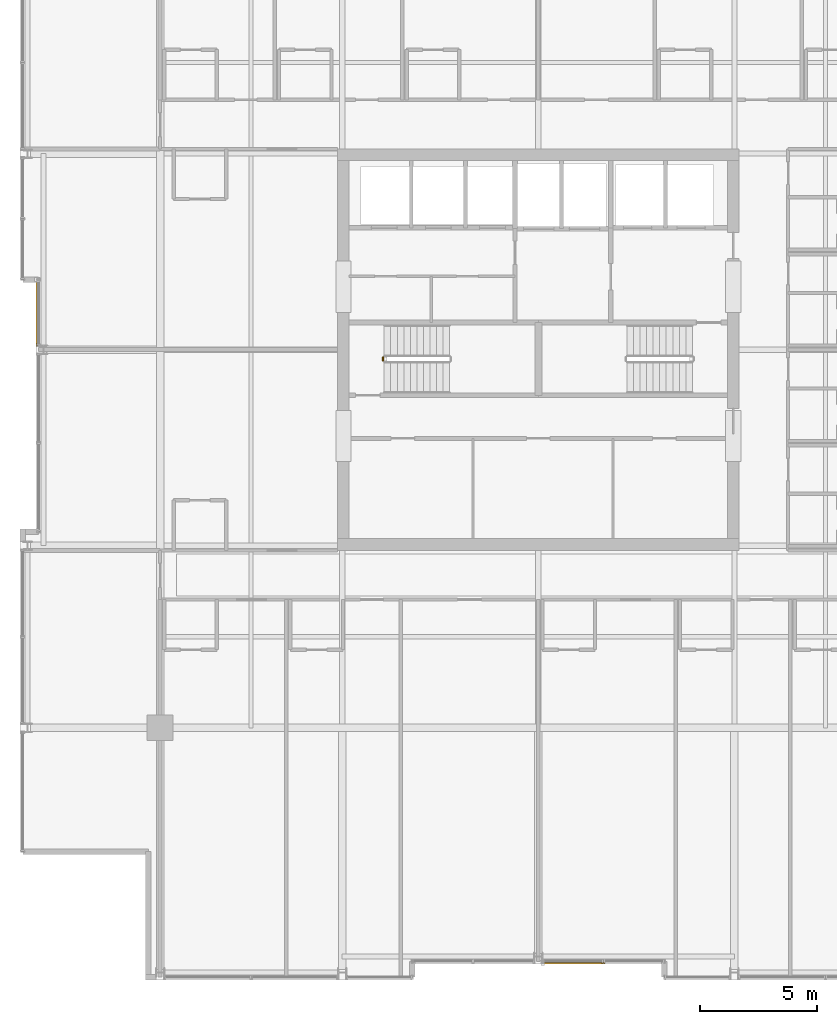
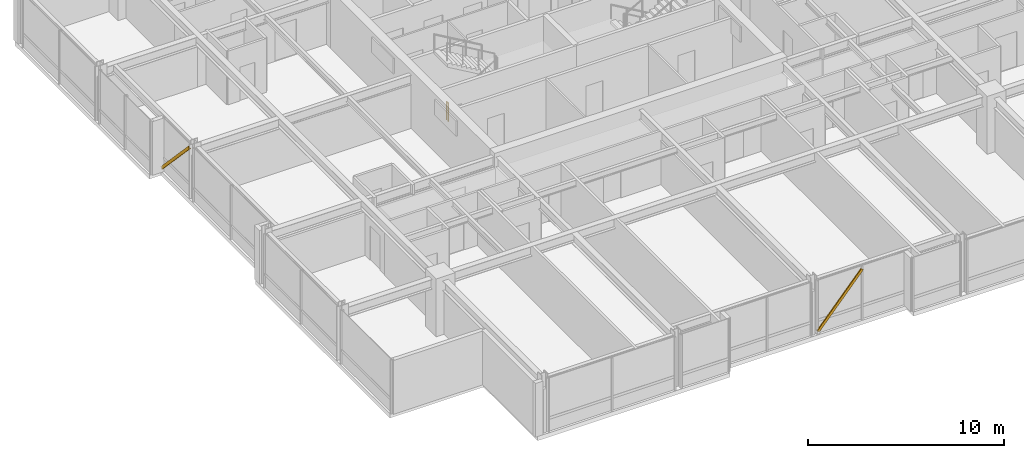
# One storey, part 31 of 33: 2 shading devices, 1 railing.
"""IFC4 building model written with IfcOpenShell, lengths in metres."""

import ifcopenshell
import ifcopenshell.guid

model = None  # the IFC model being written
_history = None  # IfcOwnerHistory: only IFC2X3 demands one
_inside = {}  # id of a spatial element -> (the spatial element, [elements in it])
_under = {}  # id of a project, library or spatial element -> (it, [spatial elements below it])
_declared = {}  # id of a project -> (the project, [libraries it declares])
_typed = {}  # id of a type object -> (the type object, [elements of that type])
_made_of = {}  # id of a material, layer set ... -> (it, [elements and type objects made of it])


def new_model(schema):
    """Start an empty IFC model of exactly this schema.

    Asked for "IFC4X3", IfcOpenShell would pick the latest addendum, in which some entities
    have other attributes; the version numbers below select the first issue.
    IFC2X3 requires an IfcOwnerHistory on every rooted entity: one is made here for all.
    """
    global model, _history
    if schema == "IFC4X3":
        model = ifcopenshell.file(schema_version=(4, 3, 0, 0))
    else:
        model = ifcopenshell.file(schema=schema)
    _inside.clear()
    _under.clear()
    _declared.clear()
    _typed.clear()
    _made_of.clear()
    _history = None
    if model.schema == "IFC2X3":
        org = make("IfcOrganization", Name="unknown")
        user = make(
            "IfcPersonAndOrganization",
            ThePerson=make("IfcPerson", FamilyName="unknown"),
            TheOrganization=org,
        )
        app = make(
            "IfcApplication",
            ApplicationDeveloper=org,
            Version="unknown",
            ApplicationFullName="unknown",
            ApplicationIdentifier="unknown",
        )
        _history = make(
            "IfcOwnerHistory",
            OwningUser=user,
            OwningApplication=app,
            ChangeAction="ADDED",
            CreationDate=0,
        )
    return model


def make(cls, **values):
    """One entity of the class cls with the attributes given. An attribute that is None is left unset."""
    return model.create_entity(
        cls, **{name: value for name, value in values.items() if value is not None}
    )


def rooted(cls, **values):
    """An entity with a GlobalId (a new one), such as an element, a storey or a relation."""
    return make(cls, GlobalId=ifcopenshell.guid.new(), OwnerHistory=_history, **values)


def si_unit(unit_type, name, prefix=None):
    """IfcSIUnit, for example si_unit("LENGTHUNIT", "METRE", prefix="MILLI")."""
    return make("IfcSIUnit", UnitType=unit_type, Prefix=prefix, Name=name)


def assignment(units):
    """IfcUnitAssignment: the units of a project."""
    return None if units is None else make("IfcUnitAssignment", Units=units)


def point(xyz):
    """IfcCartesianPoint."""
    return None if xyz is None else make("IfcCartesianPoint", Coordinates=xyz)


def direction(xyz):
    """IfcDirection."""
    return None if xyz is None else make("IfcDirection", DirectionRatios=xyz)


def frame(location, z_axis=None, x_axis=None):
    """IfcAxis2Placement3D, a coordinate frame: its origin and axes. An axis left out is left unset."""
    return make(
        "IfcAxis2Placement3D",
        Location=point(location),
        Axis=direction(z_axis),
        RefDirection=direction(x_axis),
    )


def frame_2d(location, x_axis=None):
    """IfcAxis2Placement2D, a coordinate frame in the plane: its origin and x axis."""
    return make(
        "IfcAxis2Placement2D", Location=point(location), RefDirection=direction(x_axis)
    )


def origin():
    """The frame at (0, 0, 0) with its axes left unset."""
    return frame((0.0, 0.0, 0.0))


def origin_2d():
    """The frame at (0, 0) in the plane with its x axis left unset."""
    return frame_2d((0.0, 0.0))


def place(relative_to, where):
    """IfcLocalPlacement: puts the frame where relative to a parent placement (None: the world)."""
    return make(
        "IfcLocalPlacement", PlacementRelTo=relative_to, RelativePlacement=where
    )


def context(
    kind, dimensions, precision=None, world=None, true_north=None, identifier=None
):
    """IfcGeometricRepresentationContext, for example the 3D "Model" context."""
    return make(
        "IfcGeometricRepresentationContext",
        ContextIdentifier=identifier,
        ContextType=kind,
        CoordinateSpaceDimension=dimensions,
        Precision=precision,
        WorldCoordinateSystem=world,
        TrueNorth=true_north,
    )


def subcontext(parent, identifier, kind, view, scale=None):
    """IfcGeometricRepresentationSubContext, for example "Body" below "Model"."""
    return make(
        "IfcGeometricRepresentationSubContext",
        ContextIdentifier=identifier,
        ContextType=kind,
        ParentContext=parent,
        TargetScale=scale,
        TargetView=view,
    )


def project(units=None, contexts=None):
    """IfcProject with its units and contexts."""
    return rooted(
        "IfcProject",
        Name="project",
        RepresentationContexts=contexts,
        UnitsInContext=assignment(units),
    )


def spatial(cls, under=None, at=None, **own):
    """A site, building, storey or space (cls), placed at a placement, below another one or the project."""
    s = rooted(cls, ObjectPlacement=at, **own)
    if under is not None:
        _under.setdefault(under.id(), (under, []))[1].append(s)
    return s


def profile(cls, at=None, kind="AREA", **sizes):
    """A parametric profile (cls). Its sizes go by their IFC names, for example OverallWidth=200.0."""
    return make(cls, ProfileType=kind, Position=at, **sizes)


def hollow_rectangle(**sizes):
    """IfcRectangleHollowProfileDef."""
    return profile("IfcRectangleHollowProfileDef", **sizes)


def circle(**sizes):
    """IfcCircleProfileDef."""
    return profile("IfcCircleProfileDef", **sizes)


def extrude(swept, where, along, depth):
    """IfcExtrudedAreaSolid: the profile swept, set in the frame where, extruded along a direction by depth."""
    return make(
        "IfcExtrudedAreaSolid",
        SweptArea=swept,
        Position=where,
        ExtrudedDirection=direction(along),
        Depth=depth,
    )


def shape(context_of_items, identifier, shape_type, items):
    """IfcShapeRepresentation: the items that make up one representation, for example the "Body"."""
    return make(
        "IfcShapeRepresentation",
        ContextOfItems=context_of_items,
        RepresentationIdentifier=identifier,
        RepresentationType=shape_type,
        Items=items,
    )


def material(Name=None, Category=None):
    """IfcMaterial."""
    return make("IfcMaterial", Name=Name, Category=Category)


def material_profile(
    of_material, cross_section, Name=None, Category=None, Priority=None
):
    """IfcMaterialProfile: a cross section and its material."""
    return make(
        "IfcMaterialProfile",
        Name=Name,
        Material=of_material,
        Profile=cross_section,
        Priority=Priority,
        Category=Category,
    )


def profile_set(profiles, Name=None, composite=None):
    """IfcMaterialProfileSet."""
    return make(
        "IfcMaterialProfileSet",
        Name=Name,
        MaterialProfiles=profiles,
        CompositeProfile=composite,
    )


def made_of(thing, what):
    """Note that an element or type object is made of a material, layer set ...; save() writes the relation."""
    if what is not None:
        _made_of.setdefault(what.id(), (what, []))[1].append(thing)
    return thing


def type_object(cls, material=None, **own):
    """A type object (cls), such as IfcWallType, which elements share."""
    return made_of(rooted(cls, **own), material)


def element(
    cls,
    number,
    at=None,
    inside=None,
    cuts=None,
    type_object=None,
    material=None,
    context=None,
    identifier="Body",
    shape_type=None,
    held_by="IfcProductDefinitionShape",
    body=None,
    shapes=None,
    **own,
):
    """One element of the class cls, such as IfcWall. Its Tag is "e" and its number.

    at: its placement. inside: the storey or other place that contains it. cuts: it is an
    opening in that element (IfcRelVoidsElement). A single representation is given by context,
    identifier, shape_type and body (its items); several are given by shapes. held_by: the class
    of the entity that holds the representations. save() writes the other relations.
    """
    e = rooted(cls, Tag="e%d" % number, ObjectPlacement=at, **own)
    if body is not None:
        shapes = [shape(context, identifier, shape_type, body)]
    if shapes is not None:
        e.Representation = make(held_by, Representations=shapes)
    if inside is not None:
        _inside.setdefault(inside.id(), (inside, []))[1].append(e)
    if cuts is not None:
        rooted(
            "IfcRelVoidsElement", RelatingBuildingElement=cuts, RelatedOpeningElement=e
        )
    if type_object is not None:
        _typed.setdefault(type_object.id(), (type_object, []))[1].append(e)
    return made_of(e, material)


def aggregate(whole, parts):
    """IfcRelAggregates: a whole, such as a stair, and the parts it consists of."""
    return rooted("IfcRelAggregates", RelatingObject=whole, RelatedObjects=parts)


def save(model, path):
    """Write the relations noted so far, then the file.

    IfcRelAggregates (storeys below a building ...), IfcRelContainedInSpatialStructure (elements
    in a storey), IfcRelDefinesByType, IfcRelAssociatesMaterial and IfcRelDeclares: one each for
    every whole, place, type object, material and project.
    """
    for whole, parts in _under.values():
        aggregate(whole, parts)
    for where, things in _inside.values():
        rooted(
            "IfcRelContainedInSpatialStructure",
            RelatedElements=things,
            RelatingStructure=where,
        )
    for kind, things in _typed.values():
        rooted("IfcRelDefinesByType", RelatedObjects=things, RelatingType=kind)
    for what, things in _made_of.values():
        rooted("IfcRelAssociatesMaterial", RelatedObjects=things, RelatingMaterial=what)
    for by, libraries in _declared.values():
        rooted("IfcRelDeclares", RelatingContext=by, RelatedDefinitions=libraries)
    model.write(path)


model = new_model("IFC4")

# Units and contexts
model_context = context("Model", 3, precision=1e-05, world=origin(), true_north=direction((0.0, 1.0)))
body_context = subcontext(model_context, "Body", "Model", "MODEL_VIEW")
ifc_project = project(units=[si_unit("LENGTHUNIT", "METRE"), si_unit("AREAUNIT", "SQUARE_METRE"), si_unit("VOLUMEUNIT", "CUBIC_METRE"), si_unit("PLANEANGLEUNIT", "RADIAN"), si_unit("MASSUNIT", "GRAM", prefix="KILO")], contexts=[model_context])

# Site, building, storey
site_placement = place(None, origin())
site = spatial("IfcSite", under=ifc_project, at=site_placement, CompositionType="ELEMENT")
building_placement = place(site_placement, origin())
building = spatial("IfcBuilding", under=site, at=building_placement, Name="Drelvath Grand Hotel", CompositionType="ELEMENT")
storey_placement = place(building_placement, frame((0.0, 0.0, 212.300048828125)))
storey = spatial("IfcBuildingStorey", under=building, at=storey_placement, Name="L55", CompositionType="ELEMENT", Elevation=212.300048828125)

# Railing
ifc_material_1 = material(Name="Painted Steel S275", Category="steel")
railing_type = type_object("IfcRailingType", Name="Core Stair Well Guardrail 1100", PredefinedType="GUARDRAIL", material=ifc_material_1)
railing_placement = place(storey_placement, frame((-6.64990234375, 26.52001953125, 0.0)))
element("IfcRailing", 1, at=railing_placement, inside=storey, type_object=railing_type, Name="L55 ST-1 stair guard 4", PredefinedType="GUARDRAIL", context=body_context, shape_type="SweptSolid", body=[
    extrude(circle(Radius=0.02392578125, at=origin_2d()), frame((0.0, 0.0, 1.1259765625), z_axis=(0.0, 1.0, 0.0), x_axis=(-1.0, 0.0, 0.0)), (0.0, 0.0, 1.0), 0.159912109375),
    extrude(circle(Radius=0.02099609375, at=origin_2d()), origin(), (0.0, 0.0, 1.0), 1.101806640625),
    extrude(circle(Radius=0.02099609375, at=origin_2d()), frame((0.0, 0.159912109375, 0.0)), (0.0, 0.0, 1.0), 1.101806640625),
])

# Shading devices
ifc_material_2 = material(Name="Platinum-Mist Anodised Aluminium", Category="aluminium")
ifc_material_profile = material_profile(ifc_material_2, hollow_rectangle(XDim=0.06494140625, YDim=0.159912109375, WallThickness=0.00390625, at=origin_2d()), Name="HSS160X65X4")
ifc_profile_set = profile_set([ifc_material_profile], Name="Platinum-Mist Anodised Aluminium")
shading_device_type = type_object("IfcShadingDeviceType", Name="Diagonal Solar Fin Platinum Anodised HSS160X65X4", PredefinedType="USERDEFINED", material=ifc_profile_set)
shading_device_1_placement = place(storey_placement, frame((-21.47998046875, 30.0, 0.179931640625), z_axis=(0.0, -0.686658509865, 0.726980117218), x_axis=(1.0, 0.0, 0.0)))
element("IfcShadingDevice", 2, at=shading_device_1_placement, inside=storey, type_object=shading_device_type, Name="L55 Diagonal Anodised Fin CW05-L55-WM2", ObjectType="FIN", PredefinedType="USERDEFINED", context=body_context, shape_type="SweptSolid", body=[
    extrude(hollow_rectangle(XDim=0.06494140625, YDim=0.159912109375, WallThickness=0.00390625, at=origin_2d()), origin(), (0.0, 0.0, 1.0), 4.09912109375),
])
shading_device_2_placement = place(storey_placement, frame((0.185302734375, 0.719970703125, 0.179931640625), z_axis=(0.658495877641, 0.0, 0.752584333566), x_axis=(0.0, 1.0, 0.0)))
element("IfcShadingDevice", 3, at=shading_device_2_placement, inside=storey, type_object=shading_device_type, Name="L55 Diagonal Anodised Fin CW05-L55-SM2", ObjectType="FIN", PredefinedType="USERDEFINED", context=body_context, shape_type="SweptSolid", body=[
    extrude(hollow_rectangle(XDim=0.06494140625, YDim=0.159912109375, WallThickness=0.00390625, at=origin_2d()), origin(), (0.0, 0.0, 1.0), 3.959716796875),
])

save(model, "model.ifc")
